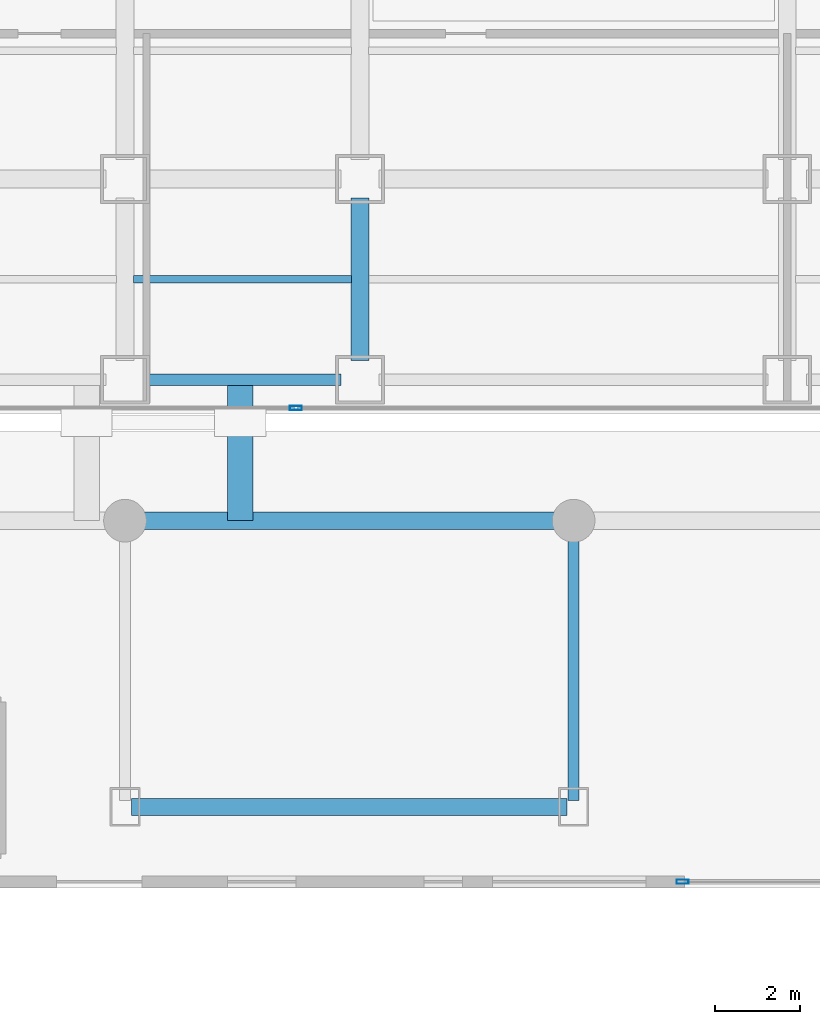
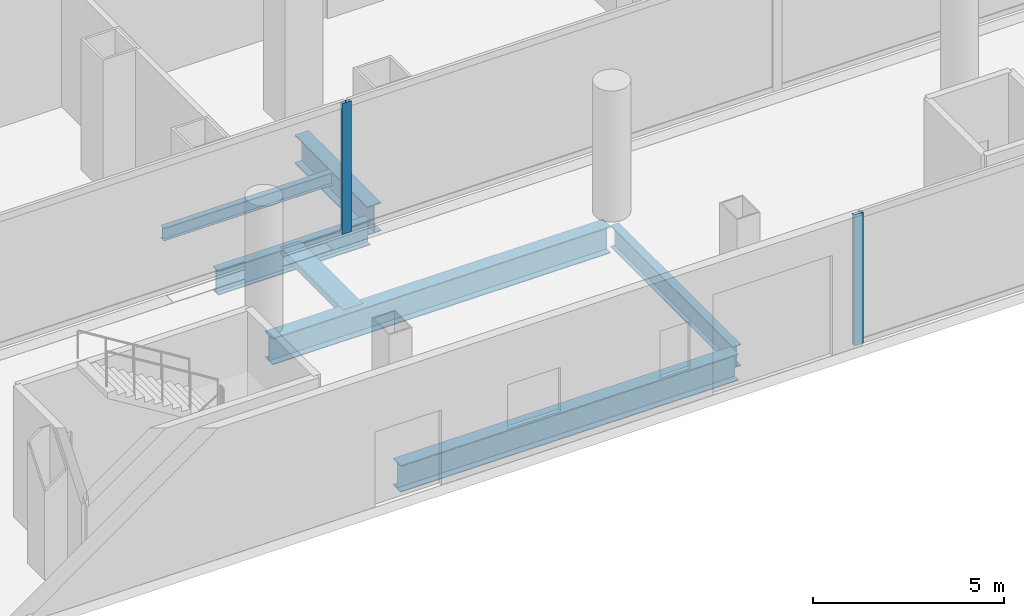
# One storey, part 6 of 31: 6 beams, 3 members, 2 elements without a shape of their own.
"""IFC4 building model written with IfcOpenShell, lengths in metres."""

import ifcopenshell
import ifcopenshell.guid

model = None  # the IFC model being written
_history = None  # IfcOwnerHistory: only IFC2X3 demands one
_inside = {}  # id of a spatial element -> (the spatial element, [elements in it])
_under = {}  # id of a project, library or spatial element -> (it, [spatial elements below it])
_declared = {}  # id of a project -> (the project, [libraries it declares])
_typed = {}  # id of a type object -> (the type object, [elements of that type])
_made_of = {}  # id of a material, layer set ... -> (it, [elements and type objects made of it])


def new_model(schema):
    """Start an empty IFC model of exactly this schema.

    Asked for "IFC4X3", IfcOpenShell would pick the latest addendum, in which some entities
    have other attributes; the version numbers below select the first issue.
    IFC2X3 requires an IfcOwnerHistory on every rooted entity: one is made here for all.
    """
    global model, _history
    if schema == "IFC4X3":
        model = ifcopenshell.file(schema_version=(4, 3, 0, 0))
    else:
        model = ifcopenshell.file(schema=schema)
    _inside.clear()
    _under.clear()
    _declared.clear()
    _typed.clear()
    _made_of.clear()
    _history = None
    if model.schema == "IFC2X3":
        org = make("IfcOrganization", Name="unknown")
        user = make(
            "IfcPersonAndOrganization",
            ThePerson=make("IfcPerson", FamilyName="unknown"),
            TheOrganization=org,
        )
        app = make(
            "IfcApplication",
            ApplicationDeveloper=org,
            Version="unknown",
            ApplicationFullName="unknown",
            ApplicationIdentifier="unknown",
        )
        _history = make(
            "IfcOwnerHistory",
            OwningUser=user,
            OwningApplication=app,
            ChangeAction="ADDED",
            CreationDate=0,
        )
    return model


def make(cls, **values):
    """One entity of the class cls with the attributes given. An attribute that is None is left unset."""
    return model.create_entity(
        cls, **{name: value for name, value in values.items() if value is not None}
    )


def rooted(cls, **values):
    """An entity with a GlobalId (a new one), such as an element, a storey or a relation."""
    return make(cls, GlobalId=ifcopenshell.guid.new(), OwnerHistory=_history, **values)


def si_unit(unit_type, name, prefix=None):
    """IfcSIUnit, for example si_unit("LENGTHUNIT", "METRE", prefix="MILLI")."""
    return make("IfcSIUnit", UnitType=unit_type, Prefix=prefix, Name=name)


def assignment(units):
    """IfcUnitAssignment: the units of a project."""
    return None if units is None else make("IfcUnitAssignment", Units=units)


def point(xyz):
    """IfcCartesianPoint."""
    return None if xyz is None else make("IfcCartesianPoint", Coordinates=xyz)


def direction(xyz):
    """IfcDirection."""
    return None if xyz is None else make("IfcDirection", DirectionRatios=xyz)


def frame(location, z_axis=None, x_axis=None):
    """IfcAxis2Placement3D, a coordinate frame: its origin and axes. An axis left out is left unset."""
    return make(
        "IfcAxis2Placement3D",
        Location=point(location),
        Axis=direction(z_axis),
        RefDirection=direction(x_axis),
    )


def frame_2d(location, x_axis=None):
    """IfcAxis2Placement2D, a coordinate frame in the plane: its origin and x axis."""
    return make(
        "IfcAxis2Placement2D", Location=point(location), RefDirection=direction(x_axis)
    )


def origin():
    """The frame at (0, 0, 0) with its axes left unset."""
    return frame((0.0, 0.0, 0.0))


def origin_2d():
    """The frame at (0, 0) in the plane with its x axis left unset."""
    return frame_2d((0.0, 0.0))


def place(relative_to, where):
    """IfcLocalPlacement: puts the frame where relative to a parent placement (None: the world)."""
    return make(
        "IfcLocalPlacement", PlacementRelTo=relative_to, RelativePlacement=where
    )


def context(
    kind, dimensions, precision=None, world=None, true_north=None, identifier=None
):
    """IfcGeometricRepresentationContext, for example the 3D "Model" context."""
    return make(
        "IfcGeometricRepresentationContext",
        ContextIdentifier=identifier,
        ContextType=kind,
        CoordinateSpaceDimension=dimensions,
        Precision=precision,
        WorldCoordinateSystem=world,
        TrueNorth=true_north,
    )


def subcontext(parent, identifier, kind, view, scale=None):
    """IfcGeometricRepresentationSubContext, for example "Body" below "Model"."""
    return make(
        "IfcGeometricRepresentationSubContext",
        ContextIdentifier=identifier,
        ContextType=kind,
        ParentContext=parent,
        TargetScale=scale,
        TargetView=view,
    )


def project(units=None, contexts=None):
    """IfcProject with its units and contexts."""
    return rooted(
        "IfcProject",
        Name="project",
        RepresentationContexts=contexts,
        UnitsInContext=assignment(units),
    )


def spatial(cls, under=None, at=None, **own):
    """A site, building, storey or space (cls), placed at a placement, below another one or the project."""
    s = rooted(cls, ObjectPlacement=at, **own)
    if under is not None:
        _under.setdefault(under.id(), (under, []))[1].append(s)
    return s


def profile(cls, at=None, kind="AREA", **sizes):
    """A parametric profile (cls). Its sizes go by their IFC names, for example OverallWidth=200.0."""
    return make(cls, ProfileType=kind, Position=at, **sizes)


def hollow_rectangle(**sizes):
    """IfcRectangleHollowProfileDef."""
    return profile("IfcRectangleHollowProfileDef", **sizes)


def i_section(**sizes):
    """IfcIShapeProfileDef."""
    return profile("IfcIShapeProfileDef", **sizes)


def extrude(swept, where, along, depth):
    """IfcExtrudedAreaSolid: the profile swept, set in the frame where, extruded along a direction by depth."""
    return make(
        "IfcExtrudedAreaSolid",
        SweptArea=swept,
        Position=where,
        ExtrudedDirection=direction(along),
        Depth=depth,
    )


def shape(context_of_items, identifier, shape_type, items):
    """IfcShapeRepresentation: the items that make up one representation, for example the "Body"."""
    return make(
        "IfcShapeRepresentation",
        ContextOfItems=context_of_items,
        RepresentationIdentifier=identifier,
        RepresentationType=shape_type,
        Items=items,
    )


def source(mapping_origin, context_of_items, identifier, shape_type, items):
    """IfcRepresentationMap: a shape defined once, which mapped items show again and again."""
    return make(
        "IfcRepresentationMap",
        MappingOrigin=mapping_origin,
        MappedRepresentation=shape(context_of_items, identifier, shape_type, items),
    )


def transform(
    local_origin,
    x_axis=None,
    y_axis=None,
    z_axis=None,
    scale=None,
    scale2=None,
    scale3=None,
    uniform=True,
):
    """IfcCartesianTransformationOperator3D, or its non-uniform kind. x_axis, y_axis, z_axis: its Axis1, 2, 3."""
    if uniform:
        return make(
            "IfcCartesianTransformationOperator3D",
            Axis1=direction(x_axis),
            Axis2=direction(y_axis),
            LocalOrigin=point(local_origin),
            Scale=scale,
            Axis3=direction(z_axis),
        )
    return make(
        "IfcCartesianTransformationOperator3DnonUniform",
        Axis1=direction(x_axis),
        Axis2=direction(y_axis),
        LocalOrigin=point(local_origin),
        Scale=scale,
        Axis3=direction(z_axis),
        Scale2=scale2,
        Scale3=scale3,
    )


def mapped(mapping_source, mapping_target):
    """IfcMappedItem: shows the shape of a source again, moved by a transform."""
    return make(
        "IfcMappedItem", MappingSource=mapping_source, MappingTarget=mapping_target
    )


def material(Name=None, Category=None):
    """IfcMaterial."""
    return make("IfcMaterial", Name=Name, Category=Category)


def layer(
    of_material, thickness, ventilated=None, Name=None, Category=None, Priority=None
):
    """IfcMaterialLayer: one layer of a wall or slab, of a material (None: an air gap)."""
    return make(
        "IfcMaterialLayer",
        Material=of_material,
        LayerThickness=thickness,
        IsVentilated=ventilated,
        Name=Name,
        Category=Category,
        Priority=Priority,
    )


def layer_set(layers, Name=None):
    """IfcMaterialLayerSet."""
    return make("IfcMaterialLayerSet", MaterialLayers=layers, LayerSetName=Name)


def material_profile(
    of_material, cross_section, Name=None, Category=None, Priority=None
):
    """IfcMaterialProfile: a cross section and its material."""
    return make(
        "IfcMaterialProfile",
        Name=Name,
        Material=of_material,
        Profile=cross_section,
        Priority=Priority,
        Category=Category,
    )


def profile_set(profiles, Name=None, composite=None):
    """IfcMaterialProfileSet."""
    return make(
        "IfcMaterialProfileSet",
        Name=Name,
        MaterialProfiles=profiles,
        CompositeProfile=composite,
    )


def made_of(thing, what):
    """Note that an element or type object is made of a material, layer set ...; save() writes the relation."""
    if what is not None:
        _made_of.setdefault(what.id(), (what, []))[1].append(thing)
    return thing


def type_object(cls, material=None, **own):
    """A type object (cls), such as IfcWallType, which elements share."""
    return made_of(rooted(cls, **own), material)


def element(
    cls,
    number,
    at=None,
    inside=None,
    cuts=None,
    type_object=None,
    material=None,
    context=None,
    identifier="Body",
    shape_type=None,
    held_by="IfcProductDefinitionShape",
    body=None,
    shapes=None,
    **own,
):
    """One element of the class cls, such as IfcWall. Its Tag is "e" and its number.

    at: its placement. inside: the storey or other place that contains it. cuts: it is an
    opening in that element (IfcRelVoidsElement). A single representation is given by context,
    identifier, shape_type and body (its items); several are given by shapes. held_by: the class
    of the entity that holds the representations. save() writes the other relations.
    """
    e = rooted(cls, Tag="e%d" % number, ObjectPlacement=at, **own)
    if body is not None:
        shapes = [shape(context, identifier, shape_type, body)]
    if shapes is not None:
        e.Representation = make(held_by, Representations=shapes)
    if inside is not None:
        _inside.setdefault(inside.id(), (inside, []))[1].append(e)
    if cuts is not None:
        rooted(
            "IfcRelVoidsElement", RelatingBuildingElement=cuts, RelatedOpeningElement=e
        )
    if type_object is not None:
        _typed.setdefault(type_object.id(), (type_object, []))[1].append(e)
    return made_of(e, material)


def aggregate(whole, parts):
    """IfcRelAggregates: a whole, such as a stair, and the parts it consists of."""
    return rooted("IfcRelAggregates", RelatingObject=whole, RelatedObjects=parts)


def save(model, path):
    """Write the relations noted so far, then the file.

    IfcRelAggregates (storeys below a building ...), IfcRelContainedInSpatialStructure (elements
    in a storey), IfcRelDefinesByType, IfcRelAssociatesMaterial and IfcRelDeclares: one each for
    every whole, place, type object, material and project.
    """
    for whole, parts in _under.values():
        aggregate(whole, parts)
    for where, things in _inside.values():
        rooted(
            "IfcRelContainedInSpatialStructure",
            RelatedElements=things,
            RelatingStructure=where,
        )
    for kind, things in _typed.values():
        rooted("IfcRelDefinesByType", RelatedObjects=things, RelatingType=kind)
    for what, things in _made_of.values():
        rooted("IfcRelAssociatesMaterial", RelatedObjects=things, RelatingMaterial=what)
    for by, libraries in _declared.values():
        rooted("IfcRelDeclares", RelatingContext=by, RelatedDefinitions=libraries)
    model.write(path)


model = new_model("IFC4")

# Units and contexts
model_context = context("Model", 3, precision=1e-05, world=origin(), true_north=direction((0.0, 1.0)))
body_context = subcontext(model_context, "Body", "Model", "MODEL_VIEW")
ifc_project = project(units=[si_unit("LENGTHUNIT", "METRE"), si_unit("AREAUNIT", "SQUARE_METRE"), si_unit("VOLUMEUNIT", "CUBIC_METRE"), si_unit("PLANEANGLEUNIT", "RADIAN"), si_unit("MASSUNIT", "GRAM", prefix="KILO")], contexts=[model_context])

# Site, building, storey
site_placement = place(None, origin())
site = spatial("IfcSite", under=ifc_project, at=site_placement, CompositionType="ELEMENT")
building_placement = place(site_placement, origin())
building = spatial("IfcBuilding", under=site, at=building_placement, Name="Kolveth Station Tower", CompositionType="ELEMENT")
storey_placement = place(building_placement, origin())
storey = spatial("IfcBuildingStorey", under=building, at=storey_placement, Name="L00", CompositionType="ELEMENT", Elevation=0.0)

# Beams
ifc_material_1 = material(Name="Steel S355", Category="steel")
ifc_material_profile_1 = material_profile(ifc_material_1, i_section(OverallWidth=0.26904296875, OverallDepth=0.77490234375, WebThickness=0.01708984375, FlangeThickness=0.0283203125, at=origin_2d()), Name="W760x220")
ifc_profile_set_1 = profile_set([ifc_material_profile_1], Name="Steel S355")
beam_type_1 = type_object("IfcBeamType", Name="Beam_SP1", PredefinedType="SPANDREL", material=ifc_profile_set_1)
shared_shape_1 = source(origin(), body_context, "Body", "SweptSolid", [
    extrude(i_section(OverallWidth=0.26904296875, OverallDepth=0.77490234375, WebThickness=0.01708984375, FlangeThickness=0.0283203125, at=origin_2d()), origin(), (0.0, 0.0, 1.0), 4.60009765625),
])
beam_1_placement = place(storey_placement, frame((13.449951171875, 0.800048828125, -0.70751953125), z_axis=(1.0, 0.0, 0.0), x_axis=(0.0, 1.0, 0.0)))
element("IfcBeam", 1, at=beam_1_placement, inside=storey, type_object=beam_type_1, Name="L00 Perimeter Spandrel BM-L00-PS-2", PredefinedType="SPANDREL", context=body_context, shape_type="MappedRepresentation", body=[
    mapped(shared_shape_1, transform((0.0, 0.0, 0.0), x_axis=(1.0, 0.0, 0.0), y_axis=(0.0, 1.0, 0.0), z_axis=(0.0, 0.0, 1.0), scale=1.0)),
])
ifc_material_profile_2 = material_profile(ifc_material_1, i_section(OverallWidth=0.41796875, OverallDepth=0.912109375, WebThickness=0.019287109375, FlangeThickness=0.031982421875, at=origin_2d()), Name="W920x342")
ifc_profile_set_2 = profile_set([ifc_material_profile_2], Name="Steel S355")
beam_type_2 = type_object("IfcBeamType", Name="Beam_B1", PredefinedType="BEAM", material=ifc_profile_set_2)
shared_shape_2 = source(origin(), body_context, "Body", "SweptSolid", [
    extrude(i_section(OverallWidth=0.41796875, OverallDepth=0.912109375, WebThickness=0.019287109375, FlangeThickness=0.031982421875, at=origin_2d()), origin(), (0.0, 0.0, 1.0), 3.800048828125),
])
beam_2_placement = place(storey_placement, frame((18.5, 1.25, -0.77587890625), z_axis=(0.0, 1.0, 0.0), x_axis=(-1.0, 0.0, 0.0)))
element("IfcBeam", 2, at=beam_2_placement, inside=storey, type_object=beam_type_2, Name="L00 Primary Girder BM-L00-GX185-1", PredefinedType="BEAM", context=body_context, shape_type="MappedRepresentation", body=[
    mapped(shared_shape_2, transform((0.0, 0.0, 0.0), x_axis=(1.0, 0.0, 0.0), y_axis=(0.0, 1.0, 0.0), z_axis=(0.0, 0.0, 1.0), scale=1.0)),
])
ifc_material_profile_3 = material_profile(ifc_material_1, i_section(OverallWidth=0.177978515625, OverallDepth=0.406982421875, WebThickness=0.0078125, FlangeThickness=0.0126953125, at=origin_2d()), Name="W410x60")
ifc_profile_set_3 = profile_set([ifc_material_profile_3], Name="Steel S355")
beam_type_3 = type_object("IfcBeamType", Name="Beam_J1", PredefinedType="JOIST", material=ifc_profile_set_3)
shared_shape_3 = source(origin(), body_context, "Body", "SweptSolid", [
    extrude(i_section(OverallWidth=0.177978515625, OverallDepth=0.406982421875, WebThickness=0.0078125, FlangeThickness=0.0126953125, at=origin_2d()), origin(), (0.0, 0.0, 1.0), 5.10986328125),
])
beam_3_placement = place(storey_placement, frame((13.195068359375, 3.14990234375, -0.5234375), z_axis=(1.0, 0.0, 0.0), x_axis=(0.0, 1.0, 0.0)))
element("IfcBeam", 3, at=beam_3_placement, inside=storey, type_object=beam_type_3, Name="L00 Secondary Joist JST-L00-3-1", PredefinedType="JOIST", context=body_context, shape_type="MappedRepresentation", body=[
    mapped(shared_shape_3, transform((0.0, 0.0, 0.0), x_axis=(1.0, 0.0, 0.0), y_axis=(0.0, 1.0, 0.0), z_axis=(0.0, 0.0, 1.0), scale=1.0)),
])
ifc_material_profile_4 = material_profile(ifc_material_1, i_section(OverallWidth=0.40087890625, OverallDepth=0.85107421875, WebThickness=0.01611328125, FlangeThickness=0.025390625, at=origin_2d()), Name="W840x226")
ifc_profile_set_4 = profile_set([ifc_material_profile_4], Name="Steel S355")
beam_type_4 = type_object("IfcBeamType", Name="Beam_B2", PredefinedType="BEAM", material=ifc_profile_set_4)
shared_shape_4 = source(origin(), body_context, "Body", "SweptSolid", [
    extrude(i_section(OverallWidth=0.40087890625, OverallDepth=0.85107421875, WebThickness=0.01611328125, FlangeThickness=0.025390625, at=origin_2d()), origin(), (0.0, 0.0, 1.0), 10.2001953125),
])
for number, where, z_axis, x_axis, name in (
    (4, (13.14990234375, -9.199951171875, -0.74560546875), (1.0, 0.0, 0.0), (0.0, 1.0, 0.0), "L00 Station Concourse Girder SBM-L00-SL1-2"),
    (5, (13.14990234375, -2.5, -0.74560546875), (1.0, 0.0, 0.0), (0.0, 1.0, 0.0), "L00 Station Concourse Girder SBM-L00-SL2-2"),
):
    element("IfcBeam", number, at=place(storey_placement, frame(where, z_axis=z_axis, x_axis=x_axis)), inside=storey, type_object=beam_type_4, Name=name, PredefinedType="BEAM", context=body_context, shape_type="MappedRepresentation", body=[
        mapped(shared_shape_4, transform((0.0, 0.0, 0.0), x_axis=(1.0, 0.0, 0.0), y_axis=(0.0, 1.0, 0.0), z_axis=(0.0, 0.0, 1.0), scale=1.0)),
    ])
ifc_material_profile_5 = material_profile(ifc_material_1, i_section(OverallWidth=0.25390625, OverallDepth=0.68798828125, WebThickness=0.01318359375, FlangeThickness=0.02099609375, at=origin_2d()), Name="W690x152")
ifc_profile_set_5 = profile_set([ifc_material_profile_5], Name="Steel S355")
beam_type_5 = type_object("IfcBeamType", Name="Beam_B4", PredefinedType="BEAM", material=ifc_profile_set_5)
shared_shape_5 = source(origin(), body_context, "Body", "SweptSolid", [
    extrude(i_section(OverallWidth=0.25390625, OverallDepth=0.68798828125, WebThickness=0.01318359375, FlangeThickness=0.02099609375, at=origin_2d()), origin(), (0.0, 0.0, 1.0), 6.400146484375),
])
beam_4_placement = place(storey_placement, frame((23.5, -9.050048828125, -0.6640625), z_axis=(0.0, 1.0, 0.0), x_axis=(-1.0, 0.0, 0.0)))
element("IfcBeam", 6, at=beam_4_placement, inside=storey, type_object=beam_type_5, Name="L00 Station Transverse Beam SBM-L00-ST-3", PredefinedType="BEAM", context=body_context, shape_type="MappedRepresentation", body=[
    mapped(shared_shape_5, transform((0.0, 0.0, 0.0), x_axis=(1.0, 0.0, 0.0), y_axis=(0.0, 1.0, 0.0), z_axis=(0.0, 0.0, 1.0), scale=1.0)),
])

# Member
ifc_material_2 = material(Name="Steel S355 and PTFE elastomer", Category="steel")
ifc_material_profile_6 = material_profile(ifc_material_2, hollow_rectangle(XDim=0.60009765625, YDim=0.219970703125, WallThickness=0.0400390625, at=origin_2d()), Name="PTFE-BEARING-750x600")
ifc_profile_set_6 = profile_set([ifc_material_profile_6], Name="Steel S355 and PTFE elastomer")
member_type_1 = type_object("IfcMemberType", Name="Mem_BRG1", PredefinedType="USERDEFINED", material=ifc_profile_set_6)
shared_shape_6 = source(origin(), body_context, "Body", "SweptSolid", [
    extrude(hollow_rectangle(XDim=0.60009765625, YDim=0.219970703125, WallThickness=0.0400390625, at=origin_2d()), origin(), (0.0, 0.0, 1.0), 3.300048828125),
])
member_1_placement = place(storey_placement, frame((15.699951171875, -2.5, -0.429931640625), z_axis=(0.0, 1.0, 0.0), x_axis=(-1.0, 0.0, 0.0)))
element("IfcMember", 7, at=member_1_placement, inside=storey, type_object=member_type_1, Name="L00 Unguided PTFE Sliding Bearing 1.2", ObjectType="BEARING", PredefinedType="USERDEFINED", context=body_context, shape_type="MappedRepresentation", body=[
    mapped(shared_shape_6, transform((0.0, 0.0, 0.0), x_axis=(1.0, 0.0, 0.0), y_axis=(0.0, 1.0, 0.0), z_axis=(0.0, 0.0, 1.0), scale=1.0)),
])

# Curtain wall, member
ifc_material_3 = material(Name="Black anodized aluminium 6063-T6 and clear station glass", Category="aluminium")
ifc_layer = layer(ifc_material_3, 0.239990234375)
ifc_layer_set = layer_set([ifc_layer], Name="Black anodized aluminium 6063-T6 and clear station glass")
curtain_wall_type = type_object("IfcCurtainWallType", Name="CurtainWall_CW-ST", PredefinedType="NOTDEFINED", material=ifc_layer_set)
curtain_wall_1_placement = place(storey_placement, origin())
curtain_wall_1 = element("IfcCurtainWall", 8, at=curtain_wall_1_placement, inside=storey, type_object=curtain_wall_type, Name="L00 Tower Podium South Storefront Curtain Wall", PredefinedType="NOTDEFINED")
ifc_material_4 = material(Name="Black anodized aluminium 6063-T6", Category="aluminium")
ifc_material_profile_7 = material_profile(ifc_material_4, hollow_rectangle(XDim=0.10009765625, YDim=0.280029296875, WallThickness=0.0048828125, at=origin_2d()), Name="ALU-100x280x5")
ifc_profile_set_7 = profile_set([ifc_material_profile_7], Name="Black anodized aluminium 6063-T6")
member_type_2 = type_object("IfcMemberType", Name="Mullion_ML-ST", PredefinedType="MULLION", material=ifc_profile_set_7)
shared_shape_7 = source(origin(), body_context, "Body", "SweptSolid", [
    extrude(hollow_rectangle(XDim=0.10009765625, YDim=0.280029296875, WallThickness=0.0048828125, at=origin_2d()), origin(), (0.0, 0.0, 1.0), 4.179931640625),
])
member_2_placement = place(storey_placement, frame((17.0, 0.139892578125, 0.0), z_axis=(0.0, 0.0, 1.0), x_axis=(0.0, 1.0, 0.0)))
member_2 = element("IfcMember", 9, at=member_2_placement, type_object=member_type_2, Name="CW-ST mullion 2", PredefinedType="MULLION", context=body_context, shape_type="MappedRepresentation", body=[
    mapped(shared_shape_7, transform((0.0, 0.0, 0.0), x_axis=(1.0, 0.0, 0.0), y_axis=(0.0, 1.0, 0.0), z_axis=(0.0, 0.0, 1.0), scale=1.0)),
])
aggregate(curtain_wall_1, [member_2])

curtain_wall_2_placement = place(storey_placement, origin())
curtain_wall_2 = element("IfcCurtainWall", 10, at=curtain_wall_2_placement, inside=storey, type_object=curtain_wall_type, Name="L00 Station South Concourse Curtain Wall", PredefinedType="NOTDEFINED")
member_3_placement = place(storey_placement, frame((26.050048828125, -10.949951171875, 0.0), z_axis=(0.0, 0.0, 1.0), x_axis=(0.0, 1.0, 0.0)))
member_3 = element("IfcMember", 11, at=member_3_placement, type_object=member_type_2, Name="CW-ST mullion 1", PredefinedType="MULLION", context=body_context, shape_type="MappedRepresentation", body=[
    mapped(shared_shape_7, transform((0.0, 0.0, 0.0), x_axis=(1.0, 0.0, 0.0), y_axis=(0.0, 1.0, 0.0), z_axis=(0.0, 0.0, 1.0), scale=1.0)),
])
aggregate(curtain_wall_2, [member_3])

save(model, "model.ifc")
